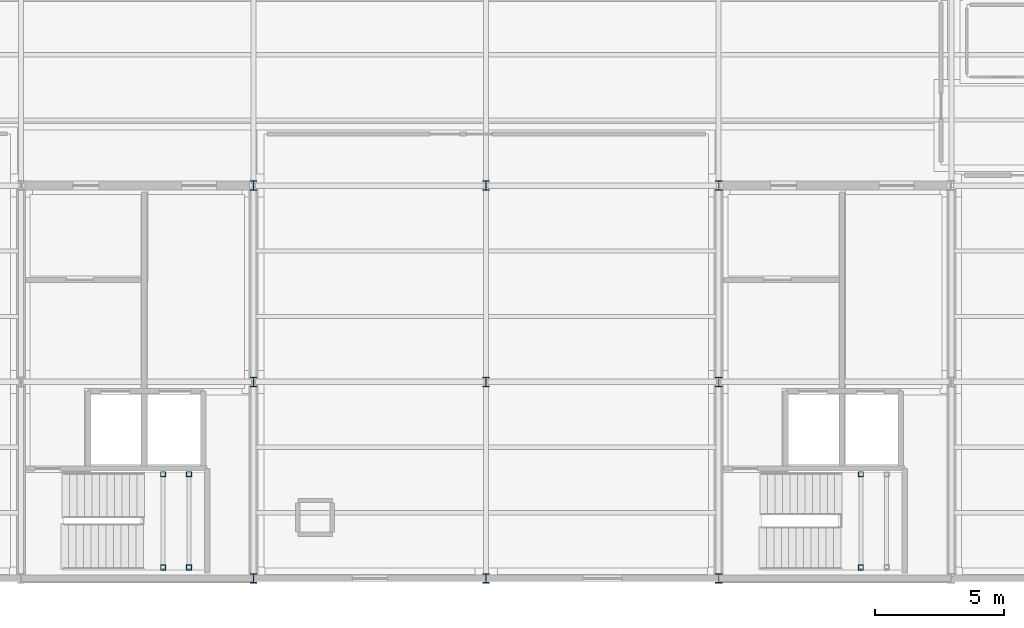
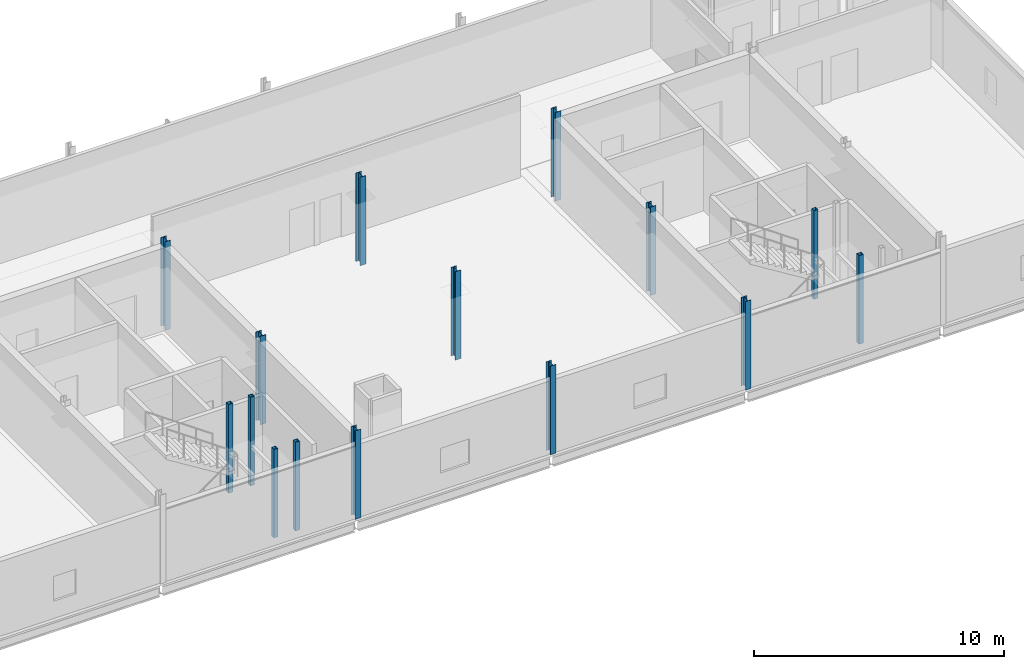
# One storey, part 4 of 96: 15 columns.
"""IFC4 building model written with IfcOpenShell, lengths in metres."""

from ifc_helpers import new_model, si_unit, direction, frame, origin, origin_2d, place, context, subcontext, project, spatial, hollow_rectangle, i_section, extrude, material, material_profile, profile_set, type_object, element, save


model = new_model("IFC4")

# Units and contexts
model_context = context("Model", 3, precision=1e-05, world=origin(), true_north=direction((0.0, 1.0)))
body_context = subcontext(model_context, "Body", "Model", "MODEL_VIEW")
ifc_project = project(units=[si_unit("LENGTHUNIT", "METRE"), si_unit("AREAUNIT", "SQUARE_METRE"), si_unit("VOLUMEUNIT", "CUBIC_METRE"), si_unit("PLANEANGLEUNIT", "RADIAN"), si_unit("MASSUNIT", "GRAM", prefix="KILO")], contexts=[model_context])

# Site, building, storey
site_placement = place(None, origin())
site = spatial("IfcSite", under=ifc_project, at=site_placement, CompositionType="ELEMENT")
building_placement = place(site_placement, origin())
building = spatial("IfcBuilding", under=site, at=building_placement, Name="Caisbarro Railhouse Central Library", CompositionType="ELEMENT")
storey_placement = place(building_placement, frame((0.0, 0.0, 13.679931640625)))
storey = spatial("IfcBuildingStorey", under=building, at=storey_placement, Name="L03", CompositionType="ELEMENT", Elevation=13.679931640625)

# Columns
ifc_material = material(Name="Steel ASTM A572 Grade 50", Category="steel")
ifc_material_profile_1 = material_profile(ifc_material, i_section(OverallWidth=0.257080078125, OverallDepth=0.363037109375, WebThickness=0.012939453125, FlangeThickness=0.021728515625, FilletRadius=0.014892578125, at=origin_2d()), Name="W360X122.0")
ifc_profile_set_1 = profile_set([ifc_material_profile_1], Name="Steel ASTM A572 Grade 50")
column_type_1 = type_object("IfcColumnType", Name="COL-C04", PredefinedType="COLUMN", material=ifc_profile_set_1)
for number, where, z_axis, x_axis, name in (
    (1, (72.0, 0.0, 0.0), (0.0, 0.0, 1.0), (1.0, 0.0, 0.0), "C04 column L03 (72.0,0.0)"),
    (2, (72.0, 7.60009765625, 0.0), (0.0, 0.0, 1.0), (1.0, 0.0, 0.0), "C04 column L03 (72.0,7.6)"),
    (3, (72.0, 15.199951171875, 0.0), (0.0, 0.0, 1.0), (1.0, 0.0, 0.0), "C04 column L03 (72.0,15.2)"),
    (4, (81.0, 0.0, 0.0), (0.0, 0.0, 1.0), (1.0, 0.0, 0.0), "C04 column L03 (81.0,0.0)"),
    (5, (81.0, 7.60009765625, 0.0), (0.0, 0.0, 1.0), (1.0, 0.0, 0.0), "C04 column L03 (81.0,7.6)"),
    (6, (81.0, 15.199951171875, 0.0), (0.0, 0.0, 1.0), (1.0, 0.0, 0.0), "C04 column L03 (81.0,15.2)"),
    (7, (90.0, 0.0, 0.0), (0.0, 0.0, 1.0), (1.0, 0.0, 0.0), "C04 column L03 (90.0,0.0)"),
    (8, (90.0, 7.60009765625, 0.0), (0.0, 0.0, 1.0), (1.0, 0.0, 0.0), "C04 column L03 (90.0,7.6)"),
    (9, (90.0, 15.199951171875, 0.0), (0.0, 0.0, 1.0), (1.0, 0.0, 0.0), "C04 column L03 (90.0,15.2)"),
):
    element("IfcColumn", number, at=place(storey_placement, frame(where, z_axis=z_axis, x_axis=x_axis)), inside=storey, type_object=column_type_1, Name=name, PredefinedType="COLUMN", context=body_context, shape_type="SweptSolid", body=[
        extrude(i_section(OverallWidth=0.257080078125, OverallDepth=0.363037109375, WebThickness=0.012939453125, FlangeThickness=0.021728515625, FilletRadius=0.014892578125, at=origin_2d()), origin(), (0.0, 0.0, 1.0), 4.320068359375),
    ])
ifc_material_profile_2 = material_profile(ifc_material, hollow_rectangle(XDim=0.199951171875, YDim=0.199951171875, WallThickness=0.012451171875, at=origin_2d()), Name="HSS200X200X12.5")
ifc_profile_set_2 = profile_set([ifc_material_profile_2], Name="Steel ASTM A572 Grade 50")
column_type_2 = type_object("IfcColumnType", Name="COL-C10", PredefinedType="COLUMN", material=ifc_profile_set_2)
for number, where, z_axis, x_axis, name in (
    (10, (68.5, 0.419921875, 0.0), (0.0, 0.0, 1.0), (1.0, 0.0, 0.0), "C10 Stair Landing Post K1 L03.1"),
    (11, (68.5, 4.030029296875, 0.0), (0.0, 0.0, 1.0), (1.0, 0.0, 0.0), "C10 Stair Landing Post K1 L03.2"),
    (12, (69.5, 0.419921875, 0.0), (0.0, 0.0, 1.0), (1.0, 0.0, 0.0), "C10 Stair Landing Post K1 L03.3"),
    (13, (69.5, 4.030029296875, 0.0), (0.0, 0.0, 1.0), (1.0, 0.0, 0.0), "C10 Stair Landing Post K1 L03.4"),
    (14, (95.5, 0.419921875, 0.0), (0.0, 0.0, 1.0), (1.0, 0.0, 0.0), "C10 Stair Landing Post K2 L03.1"),
    (15, (95.5, 4.030029296875, 0.0), (0.0, 0.0, 1.0), (1.0, 0.0, 0.0), "C10 Stair Landing Post K2 L03.2"),
):
    element("IfcColumn", number, at=place(storey_placement, frame(where, z_axis=z_axis, x_axis=x_axis)), inside=storey, type_object=column_type_2, Name=name, PredefinedType="COLUMN", context=body_context, shape_type="SweptSolid", body=[
        extrude(hollow_rectangle(XDim=0.199951171875, YDim=0.199951171875, WallThickness=0.012451171875, at=origin_2d()), origin(), (0.0, 0.0, 1.0), 4.320068359375),
    ])

save(model, "model.ifc")
